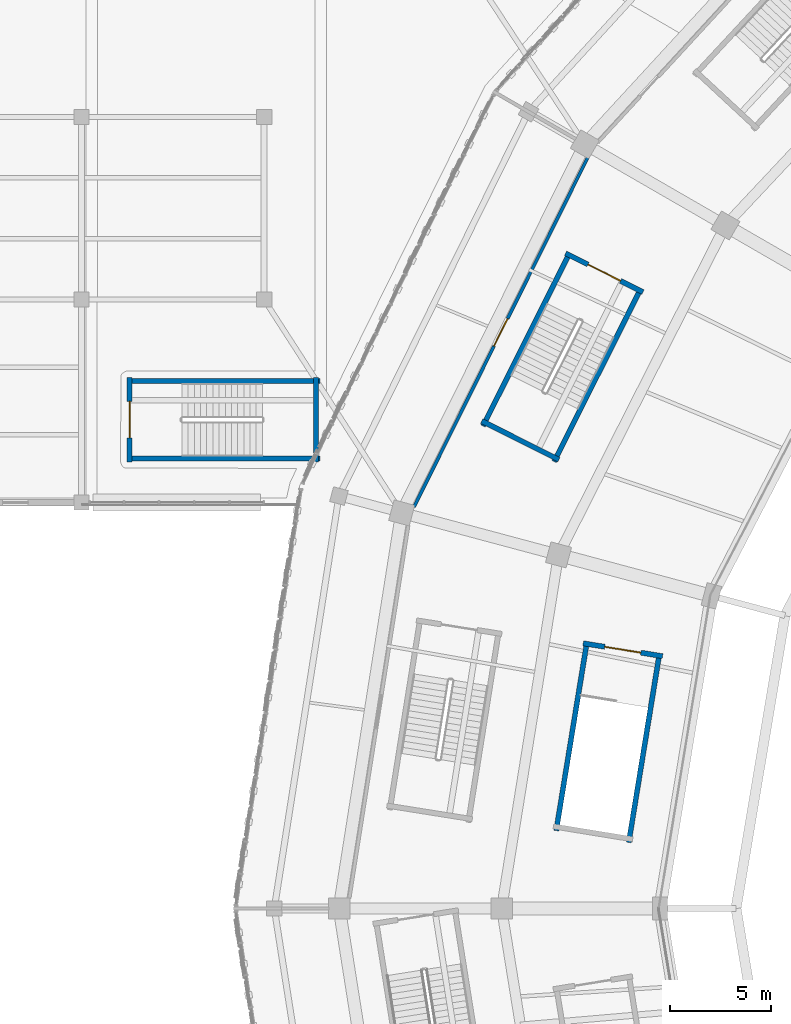
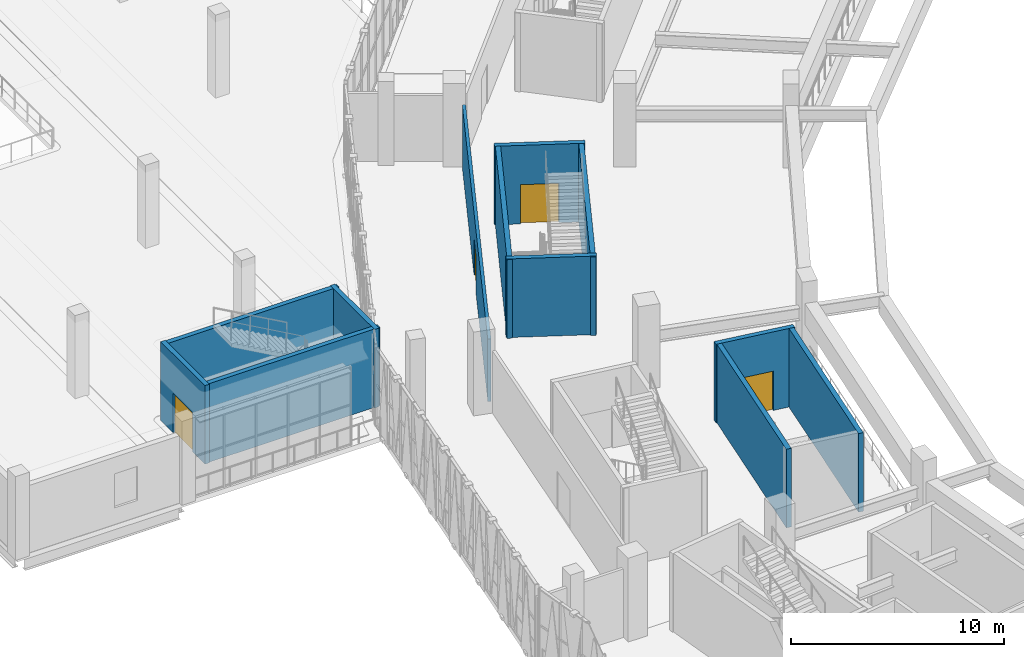
# One storey, part 101 of 179: 12 walls, 4 doors, 4 openings.
"""IFC4 building model written with IfcOpenShell, lengths in metres."""

from ifc_helpers import new_model, si_unit, direction, frame, frame_2d, origin, place, context, subcontext, project, spatial, rectangle, extrude, material, layer, layer_set, type_object, element, fill, save


model = new_model("IFC4")

# Units and contexts
model_context = context("Model", 3, precision=1e-05, world=origin(), true_north=direction((0.0, 1.0)))
body_context = subcontext(model_context, "Body", "Model", "MODEL_VIEW")
ifc_project = project(units=[si_unit("LENGTHUNIT", "METRE"), si_unit("AREAUNIT", "SQUARE_METRE"), si_unit("VOLUMEUNIT", "CUBIC_METRE"), si_unit("PLANEANGLEUNIT", "RADIAN"), si_unit("MASSUNIT", "GRAM", prefix="KILO")], contexts=[model_context])

# Site, building, storey
site_placement = place(None, origin())
site = spatial("IfcSite", under=ifc_project, at=site_placement, CompositionType="ELEMENT")
building_placement = place(site_placement, origin())
building = spatial("IfcBuilding", under=site, at=building_placement, Name="Zevraka Park Crest Stadium", CompositionType="ELEMENT")
storey_placement = place(building_placement, frame((0.0, 0.0, 10.199951171875)))
storey = spatial("IfcBuildingStorey", under=building, at=storey_placement, Name="L02", CompositionType="ELEMENT", Elevation=10.199951171875)

# Wall, opening, door
ifc_material_1 = material(Name="Fire-rated twin-stud acoustic drywall", Category="other")
ifc_layer_1 = layer(ifc_material_1, 0.159912109375)
ifc_layer_set_1 = layer_set([ifc_layer_1], Name="Fire-rated twin-stud acoustic drywall")
wall_type_1 = type_object("IfcWallType", Name="IW02", PredefinedType="PARTITIONING", material=ifc_layer_set_1)
wall_1_placement = place(storey_placement, frame((33.93408203125, 128.98193359375, 0.0), z_axis=(0.0, 0.0, 1.0), x_axis=(-0.445193759993, -0.895434261162, 0.0)))
wall_1 = element("IfcWall", 1, at=wall_1_placement, inside=storey, type_object=wall_type_1, Name="Interior Partition IW02 Central Catering Production Kitchen L02", PredefinedType="PARTITIONING", context=body_context, shape_type="SweptSolid", body=[
    extrude(rectangle(XDim=19.205322265625, YDim=0.159912109375, at=frame_2d((9.6025390625, 0.0))), origin(), (0.0, 0.0, 1.0), 3.56494140625),
])
opening_1_placement = place(wall_1_placement, frame((8.85302734375, 0.0, 0.0)))
opening_1 = element("IfcOpeningElement", 2, at=opening_1_placement, cuts=wall_1, Name="Opening D-L02-407", PredefinedType="OPENING", context=body_context, shape_type="SweptSolid", body=[
    extrude(rectangle(XDim=1.5, YDim=2.14990234375, at=frame_2d((0.75, 1.074951171875))), frame((0.0, 0.08984375, 0.0), z_axis=(0.0, -1.0, 0.0), x_axis=(1.0, 0.0, 0.0)), (0.0, 0.0, 1.0), 0.179931640625),
])
ifc_material_2 = material(Name="Solid-core hardwood timber leaf in steel frame", Category="steel")
door_type_1 = type_object("IfcDoorType", Name="DR13", OperationType="NOTDEFINED", PredefinedType="DOOR", material=ifc_material_2)
door_1_placement = place(opening_1_placement, origin())
door_1 = element("IfcDoor", 3, at=door_1_placement, inside=storey, type_object=door_type_1, Name="Central Catering Production Kitchen Door D-L02-407", OperationType="DOUBLE_DOOR_SINGLE_SWING", OverallHeight=2.14990234375, OverallWidth=1.5, PredefinedType="DOOR", context=body_context, shape_type="SweptSolid", body=[
    extrude(rectangle(XDim=1.5, YDim=2.14990234375, at=frame_2d((0.75, 1.074951171875))), frame((0.0, 0.02490234375, 0.0), z_axis=(0.0, -1.0, 0.0), x_axis=(1.0, 0.0, 0.0)), (0.0, 0.0, 1.0), 0.050048828125),
])
fill(opening_1, door_1)

# Walls
ifc_material_3 = material(Name="Concrete C40/50", Category="concrete")
ifc_layer_2 = layer(ifc_material_3, 0.25)
ifc_layer_set_2 = layer_set([ifc_layer_2], Name="Concrete C40/50")
wall_type_2 = type_object("IfcWallType", Name="SW01", PredefinedType="SHEAR", material=ifc_layer_set_2)
wall_2_placement = place(storey_placement, frame((33.0634765625, 124.313232421875, 0.0), z_axis=(0.0, 0.0, 1.0), x_axis=(-0.447919041961, -0.894074119885, 0.0)))
element("IfcWall", 4, at=wall_2_placement, inside=storey, type_object=wall_type_2, Name="Stair Core Shear Wall SW01 ST11 L02 left", PredefinedType="SHEAR", context=body_context, shape_type="SweptSolid", body=[
    extrude(rectangle(XDim=9.5498046875, YDim=0.25, at=frame_2d((4.77490234375, 0.0))), origin(), (0.0, 0.0, 1.0), 4.5),
])
wall_3_placement = place(storey_placement, frame((32.29052734375, 114.01904296875, 0.0), z_axis=(0.0, 0.0, 1.0), x_axis=(0.4479088042, 0.894079248792, 0.0)))
element("IfcWall", 5, at=wall_3_placement, inside=storey, type_object=wall_type_2, Name="Stair Core Shear Wall SW01 ST11 L02 right", PredefinedType="SHEAR", context=body_context, shape_type="SweptSolid", body=[
    extrude(rectangle(XDim=9.550048828125, YDim=0.25, at=frame_2d((4.77490234375, 0.0))), origin(), (0.0, 0.0, 1.0), 4.5),
])

# Wall, opening, door
wall_4_placement = place(storey_placement, frame((36.664306640625, 122.36962890625, 0.0), z_axis=(0.0, 0.0, 1.0), x_axis=(-0.894071595331, 0.447924081092, 0.0)))
wall_4 = element("IfcWall", 6, at=wall_4_placement, inside=storey, type_object=wall_type_2, Name="Stair Core Shear Wall SW01 ST11 L02 near", PredefinedType="SHEAR", context=body_context, shape_type="SweptSolid", body=[
    extrude(rectangle(XDim=4.260009765625, YDim=0.25, at=frame_2d((2.1298828125, 0.0))), origin(), (0.0, 0.0, 1.0), 4.5),
])
opening_2_placement = place(wall_4_placement, frame((1.22998046875, 0.0, 0.0)))
opening_2 = element("IfcOpeningElement", 7, at=opening_2_placement, cuts=wall_4, Name="Opening D-L02-065", PredefinedType="OPENING", context=body_context, shape_type="SweptSolid", body=[
    extrude(rectangle(XDim=1.800048828125, YDim=2.25, at=frame_2d((0.89990234375, 1.125))), frame((0.0, 0.135009765625, 0.0), z_axis=(0.0, -1.0, 0.0), x_axis=(1.0, 0.0, 0.0)), (0.0, 0.0, 1.0), 0.27001953125),
])
ifc_material_4 = material(Name="Solid-core hardwood timber leaf in steel frame", Category="steel")
door_type_2 = type_object("IfcDoorType", Name="DR04", OperationType="NOTDEFINED", PredefinedType="DOOR", material=ifc_material_4)
door_2_placement = place(opening_2_placement, origin())
door_2 = element("IfcDoor", 8, at=door_2_placement, inside=storey, type_object=door_type_2, Name="Protected Stair Entry Door ST11 L02", OperationType="DOUBLE_DOOR_SINGLE_SWING", OverallHeight=2.25, OverallWidth=1.800048828125, PredefinedType="DOOR", context=body_context, shape_type="SweptSolid", body=[
    extrude(rectangle(XDim=1.800048828125, YDim=2.25, at=frame_2d((0.89990234375, 1.125))), frame((0.0, 0.02490234375, 0.0), z_axis=(0.0, -1.0, 0.0), x_axis=(1.0, 0.0, 0.0)), (0.0, 0.0, 1.0), 0.050048828125),
])
fill(opening_2, door_2)

# Walls
wall_5_placement = place(storey_placement, frame((28.716796875, 116.016357421875, 0.0), z_axis=(0.0, 0.0, 1.0), x_axis=(0.894083048484, -0.447901219481, 0.0)))
element("IfcWall", 9, at=wall_5_placement, inside=storey, type_object=wall_type_2, Name="Stair Core Shear Wall SW01 ST11 L02 far", PredefinedType="SHEAR", context=body_context, shape_type="SweptSolid", body=[
    extrude(rectangle(XDim=4.259765625, YDim=0.25, at=frame_2d((2.1298828125, 0.0))), origin(), (0.0, 0.0, 1.0), 4.5),
])
for number, where, z_axis, x_axis, name in (
    (10, (33.9091796875, 105.15966796875, 0.0), (0.0, 0.0, 1.0), (-0.160694331821, -0.987004220721, 0.0), "Stair Core Shear Wall SW01 ST38 L02 left"),
    (11, (35.96337890625, 95.250732421875, 0.0), (0.0, 0.0, 1.0), (0.160719499634, 0.987000122815, 0.0), "Stair Core Shear Wall SW01 ST38 L02 right"),
):
    element("IfcWall", number, at=place(storey_placement, frame(where, z_axis=z_axis, x_axis=x_axis)), inside=storey, type_object=wall_type_2, Name=name, PredefinedType="SHEAR", context=body_context, shape_type="SweptSolid", body=[
        extrude(rectangle(XDim=9.449951171875, YDim=0.25, at=frame_2d((4.72509765625, 0.0))), origin(), (0.0, 0.0, 1.0), 4.5),
    ])

# Wall, opening, door
wall_6_placement = place(storey_placement, frame((37.6298828125, 104.42724609375, 0.0), z_axis=(0.0, 0.0, 1.0), x_axis=(-0.987008406822, 0.160668618163, 0.0)))
wall_6 = element("IfcWall", 12, at=wall_6_placement, inside=storey, type_object=wall_type_2, Name="Stair Core Shear Wall SW01 ST38 L02 near", PredefinedType="SHEAR", context=body_context, shape_type="SweptSolid", body=[
    extrude(rectangle(XDim=3.9599609375, YDim=0.25, at=frame_2d((1.97998046875, 0.0))), origin(), (0.0, 0.0, 1.0), 4.5),
])
opening_3_placement = place(wall_6_placement, frame((1.080078125, 0.0, 0.0)))
opening_3 = element("IfcOpeningElement", 13, at=opening_3_placement, cuts=wall_6, Name="Opening D-L02-208", PredefinedType="OPENING", context=body_context, shape_type="SweptSolid", body=[
    extrude(rectangle(XDim=1.800048828125, YDim=2.25, at=frame_2d((0.89990234375, 1.125))), frame((0.0, 0.135009765625, 0.0), z_axis=(0.0, -1.0, 0.0), x_axis=(1.0, 0.0, 0.0)), (0.0, 0.0, 1.0), 0.27001953125),
])
door_3_placement = place(opening_3_placement, origin())
door_3 = element("IfcDoor", 14, at=door_3_placement, inside=storey, type_object=door_type_2, Name="Protected Stair Entry Door ST38 L02", OperationType="DOUBLE_DOOR_SINGLE_SWING", OverallHeight=2.25, OverallWidth=1.800048828125, PredefinedType="DOOR", context=body_context, shape_type="SweptSolid", body=[
    extrude(rectangle(XDim=1.800048828125, YDim=2.25, at=frame_2d((0.89990234375, 1.125))), frame((0.0, 0.02490234375, 0.0), z_axis=(0.0, -1.0, 0.0), x_axis=(1.0, 0.0, 0.0)), (0.0, 0.0, 1.0), 0.050048828125),
])
fill(opening_3, door_3)

# Walls
for number, where, z_axis, x_axis, name in (
    (15, (11.25, 114.169921875, 0.0), (0.0, 0.0, 1.0), (1.0, 0.0, 0.0), "Stair Core Shear Wall SW01 ST48 L02 left"),
    (16, (20.75, 117.989990234375, 0.0), (0.0, 0.0, 1.0), (-1.0, 0.0, 0.0), "Stair Core Shear Wall SW01 ST48 L02 right"),
):
    element("IfcWall", number, at=place(storey_placement, frame(where, z_axis=z_axis, x_axis=x_axis)), inside=storey, type_object=wall_type_2, Name=name, PredefinedType="SHEAR", context=body_context, shape_type="SweptSolid", body=[
        extrude(rectangle(XDim=9.5, YDim=0.25, at=frame_2d((4.75, 0.0))), origin(), (0.0, 0.0, 1.0), 4.5),
    ])

# Wall, opening, door
wall_7_placement = place(storey_placement, frame((11.375, 118.159912109375, 0.0), z_axis=(0.0, 0.0, 1.0), x_axis=(0.0, -1.0, 0.0)))
wall_7 = element("IfcWall", 17, at=wall_7_placement, inside=storey, type_object=wall_type_2, Name="Stair Core Shear Wall SW01 ST48 L02 near", PredefinedType="SHEAR", context=body_context, shape_type="SweptSolid", body=[
    extrude(rectangle(XDim=4.159912109375, YDim=0.25, at=frame_2d((2.080078125, 0.0))), origin(), (0.0, 0.0, 1.0), 4.5),
])
opening_4_placement = place(wall_7_placement, frame((1.179931640625, 0.0, 0.0)))
opening_4 = element("IfcOpeningElement", 18, at=opening_4_placement, cuts=wall_7, Name="Opening D-L02-251", PredefinedType="OPENING", context=body_context, shape_type="SweptSolid", body=[
    extrude(rectangle(XDim=1.800048828125, YDim=2.25, at=frame_2d((0.89990234375, 1.125))), frame((0.0, 0.135009765625, 0.0), z_axis=(0.0, -1.0, 0.0), x_axis=(1.0, 0.0, 0.0)), (0.0, 0.0, 1.0), 0.27001953125),
])
door_4_placement = place(opening_4_placement, origin())
door_4 = element("IfcDoor", 19, at=door_4_placement, inside=storey, type_object=door_type_2, Name="Protected Stair Entry Door ST48 L02", OperationType="DOUBLE_DOOR_SINGLE_SWING", OverallHeight=2.25, OverallWidth=1.800048828125, PredefinedType="DOOR", context=body_context, shape_type="SweptSolid", body=[
    extrude(rectangle(XDim=1.800048828125, YDim=2.25, at=frame_2d((0.89990234375, 1.125))), frame((0.0, 0.02490234375, 0.0), z_axis=(0.0, -1.0, 0.0), x_axis=(1.0, 0.0, 0.0)), (0.0, 0.0, 1.0), 0.050048828125),
])
fill(opening_4, door_4)

# Wall
wall_8_placement = place(storey_placement, frame((20.56494140625, 114.0, 0.0), z_axis=(0.0, 0.0, 1.0), x_axis=(0.0, 1.0, 0.0)))
element("IfcWall", 20, at=wall_8_placement, inside=storey, type_object=wall_type_2, Name="Stair Core Shear Wall SW01 ST48 L02 far", PredefinedType="SHEAR", context=body_context, shape_type="SweptSolid", body=[
    extrude(rectangle(XDim=4.159912109375, YDim=0.25, at=frame_2d((2.080078125, 0.0))), origin(), (0.0, 0.0, 1.0), 4.5),
])

save(model, "model.ifc")
